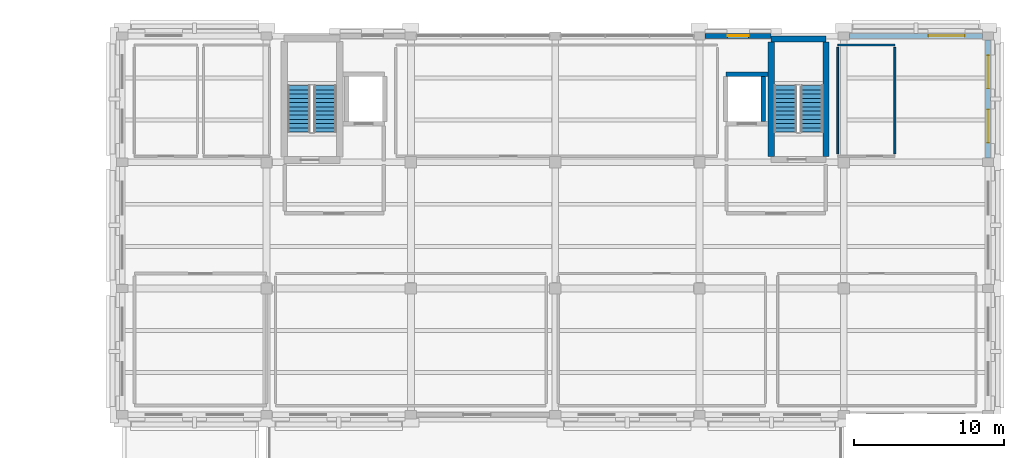
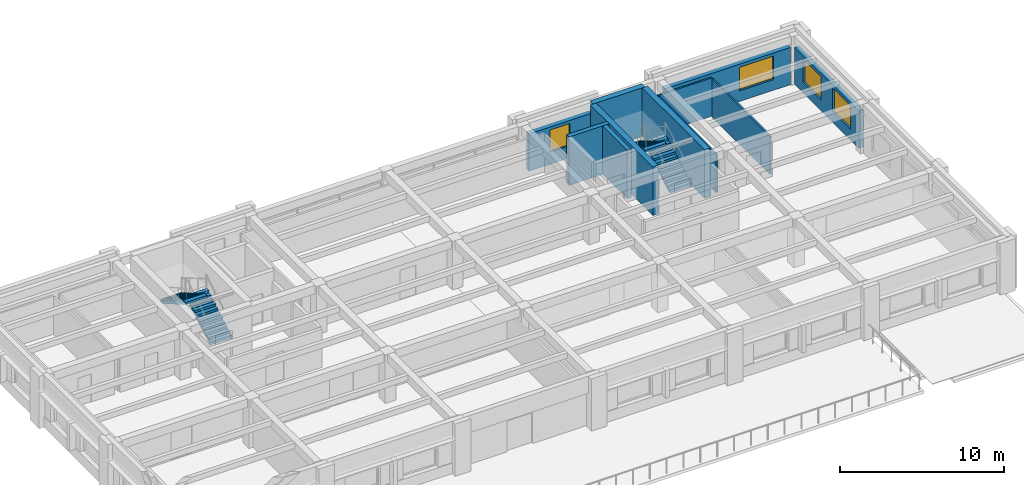
# One storey, part 6 of 10: 11 walls, 4 stair flights, 4 windows, 4 openings, 2 elements without a shape of their own.
"""IFC4 building model written with IfcOpenShell, lengths in metres."""

from ifc_helpers import new_model, si_unit, direction, frame, frame_2d, origin, place, context, subcontext, project, spatial, polyline, rectangle, outline, extrude, material, layer, layer_set, type_object, element, fill, aggregate, save


model = new_model("IFC4")

# Units and contexts
model_context = context("Model", 3, precision=1e-05, world=origin(), true_north=direction((0.0, 1.0)))
body_context = subcontext(model_context, "Body", "Model", "MODEL_VIEW")
ifc_project = project(units=[si_unit("LENGTHUNIT", "METRE"), si_unit("AREAUNIT", "SQUARE_METRE"), si_unit("VOLUMEUNIT", "CUBIC_METRE"), si_unit("PLANEANGLEUNIT", "RADIAN"), si_unit("MASSUNIT", "GRAM", prefix="KILO")], contexts=[model_context])

# Site, building, storey
site_placement = place(None, origin())
site = spatial("IfcSite", under=ifc_project, at=site_placement, CompositionType="ELEMENT")
building_placement = place(site_placement, origin())
building = spatial("IfcBuilding", under=site, at=building_placement, Name="Bempovik Park Faculty of Sciences", CompositionType="ELEMENT")
storey_placement = place(building_placement, frame((0.0, 0.0, 26.699951171875)))
storey = spatial("IfcBuildingStorey", under=building, at=storey_placement, Name="L06", CompositionType="ELEMENT", Elevation=26.699951171875)

# Walls
ifc_material_1 = material(Name="Gypsum acoustic stud assembly")
ifc_layer_1 = layer(ifc_material_1, 0.1201171875)
ifc_layer_set_1 = layer_set([ifc_layer_1], Name="Gypsum acoustic stud assembly")
wall_type_1 = type_object("IfcWallType", Name="W-17 Wall 120mm", PredefinedType="PARTITIONING", material=ifc_layer_set_1)
wall_1_placement = place(storey_placement, frame((107.60009765625, 118.800048828125, 0.0), z_axis=(0.0, 0.0, 1.0), x_axis=(1.0, 0.0, 0.0)))
element("IfcWall", 1, at=wall_1_placement, inside=storey, type_object=wall_type_1, Name="L06 L06 Accessible WC Partition North", PredefinedType="PARTITIONING", context=body_context, shape_type="SweptSolid", body=[
    extrude(rectangle(XDim=3.7998046875, YDim=0.1201171875, at=frame_2d((1.89990234375, 0.0))), origin(), (0.0, 0.0, 1.0), 2.85009765625),
])
for number, where, z_axis, x_axis, name in (
    (2, (107.60009765625, 111.56005859375, 0.0), (0.0, 0.0, 1.0), (0.0, 1.0, 0.0), "L06 L06 Accessible WC Partition West"),
    (3, (111.39990234375, 111.56005859375, 0.0), (0.0, 0.0, 1.0), (0.0, 1.0, 0.0), "L06 L06 Accessible WC Partition East"),
):
    element("IfcWall", number, at=place(storey_placement, frame(where, z_axis=z_axis, x_axis=x_axis)), inside=storey, type_object=wall_type_1, Name=name, PredefinedType="PARTITIONING", context=body_context, shape_type="SweptSolid", body=[
        extrude(rectangle(XDim=7.079833984375, YDim=0.1201171875, at=frame_2d((3.5400390625, 0.0))), origin(), (0.0, 0.0, 1.0), 2.85009765625),
    ])
ifc_material_2 = material(Name="Concrete C40/50", Category="concrete")
ifc_layer_2 = layer(ifc_material_2, 0.300048828125)
ifc_layer_set_2 = layer_set([ifc_layer_2], Name="Concrete C40/50")
wall_type_2 = type_object("IfcWallType", Name="W-31 Wall 300mm", PredefinedType="SHEAR", material=ifc_layer_set_2)
wall_2_placement = place(storey_placement, frame((100.14990234375, 116.85009765625, 0.0), z_axis=(0.0, 0.0, 1.0), x_axis=(1.0, 0.0, 0.0)))
element("IfcWall", 4, at=wall_2_placement, inside=storey, type_object=wall_type_2, Name="Lift LF-2 L06 Shaft Wall North", PredefinedType="SHEAR", context=body_context, shape_type="SweptSolid", body=[
    extrude(rectangle(XDim=2.8251953125, YDim=0.300048828125, at=frame_2d((1.41259765625, 0.0))), origin(), (0.0, 0.0, 1.0), 3.6201171875),
])
wall_3_placement = place(storey_placement, frame((102.64990234375, 113.699951171875, 0.0), z_axis=(0.0, 0.0, 1.0), x_axis=(0.0, 1.0, 0.0)))
element("IfcWall", 5, at=wall_3_placement, inside=storey, type_object=wall_type_2, Name="Lift LF-2 L06 Shaft Wall East", PredefinedType="SHEAR", context=body_context, shape_type="SweptSolid", body=[
    extrude(rectangle(XDim=3.0, YDim=0.300048828125, at=frame_2d((1.5, 0.0))), origin(), (0.0, 0.0, 1.0), 3.6201171875),
])
ifc_layer_3 = layer(ifc_material_2, 0.39990234375)
ifc_layer_set_3 = layer_set([ifc_layer_3], Name="Concrete C40/50")
wall_type_3 = type_object("IfcWallType", Name="W-47 Wall 400mm", PredefinedType="SHEAR", material=ifc_layer_set_3)
for number, where, z_axis, x_axis, name in (
    (6, (103.175048828125, 111.375, 0.0), (0.0, 0.0, 1.0), (0.0, 1.0, 0.0), "ST-2 L06 Core Shear Wall West"),
    (7, (106.824951171875, 111.375, 0.0), (0.0, 0.0, 1.0), (0.0, 1.0, 0.0), "ST-2 L06 Core Shear Wall East"),
):
    element("IfcWall", number, at=place(storey_placement, frame(where, z_axis=z_axis, x_axis=x_axis)), inside=storey, type_object=wall_type_3, Name=name, PredefinedType="SHEAR", context=body_context, shape_type="SweptSolid", body=[
        extrude(rectangle(XDim=7.625, YDim=0.39990234375, at=frame_2d((3.8125, 0.0))), origin(), (0.0, 0.0, 1.0), 3.6201171875),
    ])
wall_4_placement = place(storey_placement, frame((103.175048828125, 119.199951171875, 0.0), z_axis=(0.0, 0.0, 1.0), x_axis=(1.0, 0.0, 0.0)))
element("IfcWall", 8, at=wall_4_placement, inside=storey, type_object=wall_type_3, Name="ST-2 L06 Core Shear Wall North", PredefinedType="SHEAR", context=body_context, shape_type="SweptSolid", body=[
    extrude(rectangle(XDim=3.64990234375, YDim=0.39990234375, at=frame_2d((1.824951171875, 0.0))), origin(), (0.0, 0.0, 1.0), 3.6201171875),
])

# Wall, openings, windows
ifc_material_3 = material(Name="Precast concrete C40/50", Category="concrete")
ifc_layer_4 = layer(ifc_material_3, 0.320068359375)
ifc_layer_set_4 = layer_set([ifc_layer_4], Name="Precast concrete C40/50")
wall_type_4 = type_object("IfcWallType", Name="W-56 Wall 320mm", PredefinedType="SOLIDWALL", material=ifc_layer_set_4)
wall_5_placement = place(storey_placement, frame((117.60009765625, 111.277099609375, 0.0), z_axis=(0.0, 0.0, 1.0), x_axis=(0.0, 1.0, 0.0)))
wall_5 = element("IfcWall", 9, at=wall_5_placement, inside=storey, type_object=wall_type_4, Name="L06 Classical Precast Facade Wall EW-L06-10372", PredefinedType="SOLIDWALL", context=body_context, shape_type="SweptSolid", body=[
    extrude(rectangle(XDim=7.845947265625, YDim=0.320068359375, at=frame_2d((3.9228515625, 0.0))), origin(), (0.0, 0.0, 1.0), 2.780029296875),
])
opening_1_placement = place(wall_5_placement, frame((1.018310546875, 0.0, 0.800048828125)))
opening_1 = element("IfcOpeningElement", 10, at=opening_1_placement, cuts=wall_5, Name="Opening WN-34", PredefinedType="OPENING", context=body_context, shape_type="SweptSolid", body=[
    extrude(rectangle(XDim=2.199951171875, YDim=1.75, at=frame_2d((1.10009765625, 0.875))), frame((0.0, 0.169921875, 0.0), z_axis=(0.0, -1.0, 0.0), x_axis=(1.0, 0.0, 0.0)), (0.0, 0.0, 1.0), 0.340087890625),
])
opening_2_placement = place(wall_5_placement, frame((4.627685546875, 0.0, 0.800048828125)))
opening_2 = element("IfcOpeningElement", 11, at=opening_2_placement, cuts=wall_5, Name="Opening WN-34", PredefinedType="OPENING", context=body_context, shape_type="SweptSolid", body=[
    extrude(rectangle(XDim=2.199951171875, YDim=1.75, at=frame_2d((1.10009765625, 0.875))), frame((0.0, 0.169921875, 0.0), z_axis=(0.0, -1.0, 0.0), x_axis=(1.0, 0.0, 0.0)), (0.0, 0.0, 1.0), 0.340087890625),
])
ifc_material_4 = material(Name="Tempered laminated low-E glass", Category="glass")
window_type_1 = type_object("IfcWindowType", Name="WN-34 Window 2200x1750", PartitioningType="SINGLE_PANEL", PredefinedType="WINDOW", material=ifc_material_4)
window_1_placement = place(opening_1_placement, origin())
window_1 = element("IfcWindow", 12, at=window_1_placement, inside=storey, type_object=window_type_1, Name="L06 Window EW-L06-10372-1", OverallHeight=1.75, OverallWidth=2.199951171875, PartitioningType="SINGLE_PANEL", PredefinedType="WINDOW", context=body_context, shape_type="SweptSolid", body=[
    extrude(rectangle(XDim=2.199951171875, YDim=1.75, at=frame_2d((1.10009765625, 0.875))), frame((0.0, 0.030029296875, 0.0), z_axis=(0.0, -1.0, 0.0), x_axis=(1.0, 0.0, 0.0)), (0.0, 0.0, 1.0), 0.06005859375),
])
fill(opening_1, window_1)
window_2_placement = place(opening_2_placement, origin())
window_2 = element("IfcWindow", 13, at=window_2_placement, inside=storey, type_object=window_type_1, Name="L06 Window EW-L06-10372-2", OverallHeight=1.75, OverallWidth=2.199951171875, PartitioningType="SINGLE_PANEL", PredefinedType="WINDOW", context=body_context, shape_type="SweptSolid", body=[
    extrude(rectangle(XDim=2.199951171875, YDim=1.75, at=frame_2d((1.10009765625, 0.875))), frame((0.0, 0.030029296875, 0.0), z_axis=(0.0, -1.0, 0.0), x_axis=(1.0, 0.0, 0.0)), (0.0, 0.0, 1.0), 0.06005859375),
])
fill(opening_2, window_2)

# Wall, opening, window
wall_6_placement = place(storey_placement, frame((98.777099609375, 119.39990234375, 0.0), z_axis=(0.0, 0.0, 1.0), x_axis=(1.0, 0.0, 0.0)))
wall_6 = element("IfcWall", 14, at=wall_6_placement, inside=storey, type_object=wall_type_4, Name="L06 Classical Precast Facade Wall EW-L06-10437", PredefinedType="SOLIDWALL", context=body_context, shape_type="SweptSolid", body=[
    extrude(rectangle(XDim=4.39697265625, YDim=0.320068359375, at=frame_2d((2.198486328125, 0.0))), origin(), (0.0, 0.0, 1.0), 2.780029296875),
])
opening_3_placement = place(wall_6_placement, frame((1.49853515625, 0.0, 0.89990234375)))
opening_3 = element("IfcOpeningElement", 15, at=opening_3_placement, cuts=wall_6, Name="Opening WN-84", PredefinedType="OPENING", context=body_context, shape_type="SweptSolid", body=[
    extrude(rectangle(XDim=1.39990234375, YDim=1.64990234375, at=frame_2d((0.699951171875, 0.824951171875))), frame((0.0, 0.169921875, 0.0), z_axis=(0.0, -1.0, 0.0), x_axis=(1.0, 0.0, 0.0)), (0.0, 0.0, 1.0), 0.340087890625),
])
window_type_2 = type_object("IfcWindowType", Name="WN-84 Window 1400x1650", PartitioningType="SINGLE_PANEL", PredefinedType="WINDOW", material=ifc_material_4)
window_3_placement = place(opening_3_placement, origin())
window_3 = element("IfcWindow", 16, at=window_3_placement, inside=storey, type_object=window_type_2, Name="L06 Stairwell Classical Lancet Window EW-L06-10437", OverallHeight=1.64990234375, OverallWidth=1.39990234375, PartitioningType="SINGLE_PANEL", PredefinedType="WINDOW", context=body_context, shape_type="SweptSolid", body=[
    extrude(rectangle(XDim=1.39990234375, YDim=1.64990234375, at=frame_2d((0.699951171875, 0.824951171875))), frame((0.0, 0.030029296875, 0.0), z_axis=(0.0, -1.0, 0.0), x_axis=(1.0, 0.0, 0.0)), (0.0, 0.0, 1.0), 0.06005859375),
])
fill(opening_3, window_3)

wall_7_placement = place(storey_placement, frame((108.376953125, 119.39990234375, 0.0), z_axis=(0.0, 0.0, 1.0), x_axis=(1.0, 0.0, 0.0)))
wall_7 = element("IfcWall", 17, at=wall_7_placement, inside=storey, type_object=wall_type_4, Name="L06 Classical Precast Facade Wall EW-L06-10444", PredefinedType="SOLIDWALL", context=body_context, shape_type="SweptSolid", body=[
    extrude(rectangle(XDim=8.845947265625, YDim=0.320068359375, at=frame_2d((4.4228515625, 0.0))), origin(), (0.0, 0.0, 1.0), 2.780029296875),
])
opening_4_placement = place(wall_7_placement, frame((5.257568359375, 0.0, 0.800048828125)))
opening_4 = element("IfcOpeningElement", 18, at=opening_4_placement, cuts=wall_7, Name="Opening WN-22", PredefinedType="OPENING", context=body_context, shape_type="SweptSolid", body=[
    extrude(rectangle(XDim=2.39990234375, YDim=1.75, at=frame_2d((1.199951171875, 0.875))), frame((0.0, 0.169921875, 0.0), z_axis=(0.0, -1.0, 0.0), x_axis=(1.0, 0.0, 0.0)), (0.0, 0.0, 1.0), 0.340087890625),
])
window_type_3 = type_object("IfcWindowType", Name="WN-22 Window 2400x1750", PartitioningType="SINGLE_PANEL", PredefinedType="WINDOW", material=ifc_material_4)
window_4_placement = place(opening_4_placement, origin())
window_4 = element("IfcWindow", 19, at=window_4_placement, inside=storey, type_object=window_type_3, Name="L06 Window EW-L06-10444-2", OverallHeight=1.75, OverallWidth=2.39990234375, PartitioningType="SINGLE_PANEL", PredefinedType="WINDOW", context=body_context, shape_type="SweptSolid", body=[
    extrude(rectangle(XDim=2.39990234375, YDim=1.75, at=frame_2d((1.199951171875, 0.875))), frame((0.0, 0.030029296875, 0.0), z_axis=(0.0, -1.0, 0.0), x_axis=(1.0, 0.0, 0.0)), (0.0, 0.0, 1.0), 0.06005859375),
])
fill(opening_4, window_4)

# Stair, stair flights
ifc_material_5 = material(Name="Concrete C35/45", Category="concrete")
stair_type = type_object("IfcStairType", Name="ST-17 Stair W1500 H3900", PredefinedType="HALF_TURN_STAIR", material=ifc_material_5)
stair_1_placement = place(storey_placement, origin())
stair_1 = element("IfcStair", 20, at=stair_1_placement, inside=storey, type_object=stair_type, Name="L06 ST-1 Dog-Leg Exit Stair", PredefinedType="HALF_TURN_STAIR")
stair_flight_type = type_object("IfcStairFlightType", Name="FL-16 Flight W1500 H3900", PredefinedType="STRAIGHT", material=ifc_material_5)
stair_flight_1_placement = place(storey_placement, frame((73.5, 113.0, 0.0), z_axis=(0.0, 0.0, 1.0), x_axis=(0.0, 1.0, 0.0)))
stair_flight_1 = element("IfcStairFlight", 21, at=stair_flight_1_placement, type_object=stair_flight_type, Name="ST-17 flight 1", NumberOfRisers=12, NumberOfTreads=11, PredefinedType="STRAIGHT", RiserHeight=0.1625, TreadLength=0.28125, context=body_context, shape_type="SweptSolid", body=[
    extrude(outline(polyline([(0.0, 0.0), (0.0, 0.16259765625), (0.28125, 0.16259765625), (0.28125, 0.324951171875), (0.5625, 0.324951171875), (0.5625, 0.487548828125), (0.84375, 0.487548828125), (0.84375, 0.64990234375), (1.125, 0.64990234375), (1.125, 0.8125), (1.40625, 0.8125), (1.40625, 0.97509765625), (1.6875, 0.97509765625), (1.6875, 1.137451171875), (1.96875, 1.137451171875), (1.96875, 1.300048828125), (2.25, 1.300048828125), (2.25, 1.46240234375), (2.53125, 1.46240234375), (2.53125, 1.625), (2.8125, 1.625), (2.8125, 1.78759765625), (3.09375, 1.78759765625), (3.09375, 1.949951171875), (3.09375, 1.6142578125), (0.299560546875, 0.0), (0.0625, -0.0625), (0.0, -0.0625), (0.0, 0.0)])), frame((0.0, 0.75, 0.0), z_axis=(0.0, -1.0, 0.0), x_axis=(1.0, 0.0, 0.0)), (0.0, 0.0, 1.0), 1.5),
])
stair_flight_2_placement = place(storey_placement, frame((71.75, 116.09375, 1.949951171875), z_axis=(0.0, 0.0, 1.0), x_axis=(0.0, -1.0, 0.0)))
stair_flight_2 = element("IfcStairFlight", 22, at=stair_flight_2_placement, type_object=stair_flight_type, Name="ST-17 flight 2", NumberOfRisers=12, NumberOfTreads=11, PredefinedType="STRAIGHT", RiserHeight=0.1625, TreadLength=0.28125, context=body_context, shape_type="SweptSolid", body=[
    extrude(outline(polyline([(0.0, 0.0), (0.0, 0.16259765625), (0.28125, 0.16259765625), (0.28125, 0.324951171875), (0.5625, 0.324951171875), (0.5625, 0.487548828125), (0.84375, 0.487548828125), (0.84375, 0.64990234375), (1.125, 0.64990234375), (1.125, 0.8125), (1.40625, 0.8125), (1.40625, 0.97509765625), (1.6875, 0.97509765625), (1.6875, 1.137451171875), (1.96875, 1.137451171875), (1.96875, 1.300048828125), (2.25, 1.300048828125), (2.25, 1.46240234375), (2.53125, 1.46240234375), (2.53125, 1.625), (2.8125, 1.625), (2.8125, 1.78759765625), (3.09375, 1.78759765625), (3.09375, 1.949951171875), (3.09375, 1.6142578125), (0.299560546875, 0.0), (0.0625, -0.0625), (0.0, -0.0625), (0.0, 0.0)])), frame((0.0, 0.75, 0.0), z_axis=(0.0, -1.0, 0.0), x_axis=(1.0, 0.0, 0.0)), (0.0, 0.0, 1.0), 1.5),
])
aggregate(stair_1, [stair_flight_1, stair_flight_2])

stair_2_placement = place(storey_placement, origin())
stair_2 = element("IfcStair", 23, at=stair_2_placement, inside=storey, type_object=stair_type, Name="L06 ST-2 Dog-Leg Exit Stair", PredefinedType="HALF_TURN_STAIR")
stair_flight_3_placement = place(storey_placement, frame((105.875, 113.0, 0.0), z_axis=(0.0, 0.0, 1.0), x_axis=(0.0, 1.0, 0.0)))
stair_flight_3 = element("IfcStairFlight", 24, at=stair_flight_3_placement, type_object=stair_flight_type, Name="ST-17 flight 1", NumberOfRisers=12, NumberOfTreads=11, PredefinedType="STRAIGHT", RiserHeight=0.1625, TreadLength=0.28125, context=body_context, shape_type="SweptSolid", body=[
    extrude(outline(polyline([(0.0, 0.0), (0.0, 0.16259765625), (0.28125, 0.16259765625), (0.28125, 0.324951171875), (0.5625, 0.324951171875), (0.5625, 0.487548828125), (0.84375, 0.487548828125), (0.84375, 0.64990234375), (1.125, 0.64990234375), (1.125, 0.8125), (1.40625, 0.8125), (1.40625, 0.97509765625), (1.6875, 0.97509765625), (1.6875, 1.137451171875), (1.96875, 1.137451171875), (1.96875, 1.300048828125), (2.25, 1.300048828125), (2.25, 1.46240234375), (2.53125, 1.46240234375), (2.53125, 1.625), (2.8125, 1.625), (2.8125, 1.78759765625), (3.09375, 1.78759765625), (3.09375, 1.949951171875), (3.09375, 1.6142578125), (0.299560546875, 0.0), (0.0625, -0.0625), (0.0, -0.0625), (0.0, 0.0)])), frame((0.0, 0.75, 0.0), z_axis=(0.0, -1.0, 0.0), x_axis=(1.0, 0.0, 0.0)), (0.0, 0.0, 1.0), 1.5),
])
stair_flight_4_placement = place(storey_placement, frame((104.125, 116.09375, 1.949951171875), z_axis=(0.0, 0.0, 1.0), x_axis=(0.0, -1.0, 0.0)))
stair_flight_4 = element("IfcStairFlight", 25, at=stair_flight_4_placement, type_object=stair_flight_type, Name="ST-17 flight 2", NumberOfRisers=12, NumberOfTreads=11, PredefinedType="STRAIGHT", RiserHeight=0.1625, TreadLength=0.28125, context=body_context, shape_type="SweptSolid", body=[
    extrude(outline(polyline([(0.0, 0.0), (0.0, 0.16259765625), (0.28125, 0.16259765625), (0.28125, 0.324951171875), (0.5625, 0.324951171875), (0.5625, 0.487548828125), (0.84375, 0.487548828125), (0.84375, 0.64990234375), (1.125, 0.64990234375), (1.125, 0.8125), (1.40625, 0.8125), (1.40625, 0.97509765625), (1.6875, 0.97509765625), (1.6875, 1.137451171875), (1.96875, 1.137451171875), (1.96875, 1.300048828125), (2.25, 1.300048828125), (2.25, 1.46240234375), (2.53125, 1.46240234375), (2.53125, 1.625), (2.8125, 1.625), (2.8125, 1.78759765625), (3.09375, 1.78759765625), (3.09375, 1.949951171875), (3.09375, 1.6142578125), (0.299560546875, 0.0), (0.0625, -0.0625), (0.0, -0.0625), (0.0, 0.0)])), frame((0.0, 0.75, 0.0), z_axis=(0.0, -1.0, 0.0), x_axis=(1.0, 0.0, 0.0)), (0.0, 0.0, 1.0), 1.5),
])
aggregate(stair_2, [stair_flight_3, stair_flight_4])

save(model, "model.ifc")
